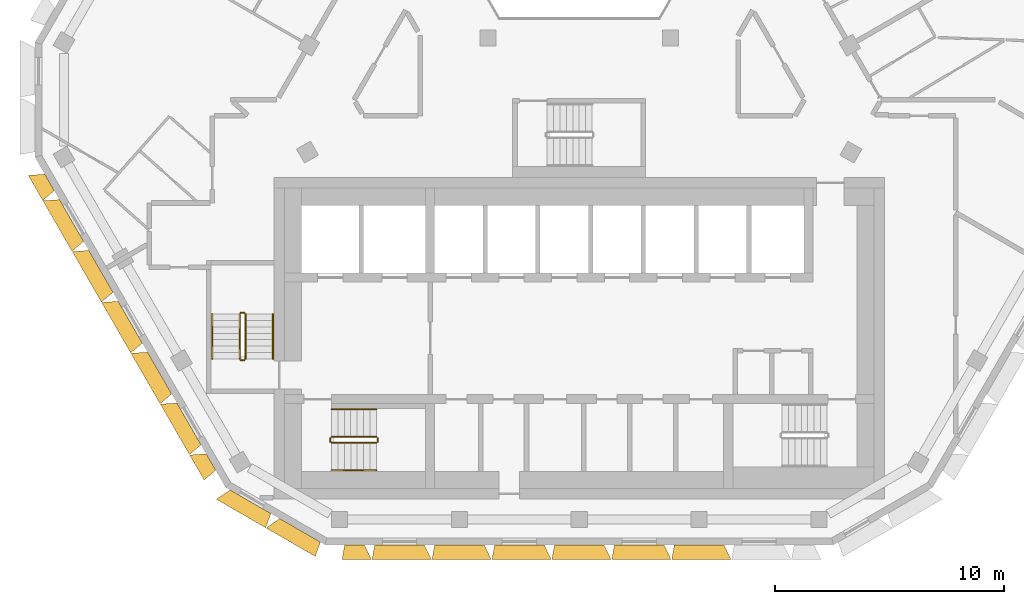
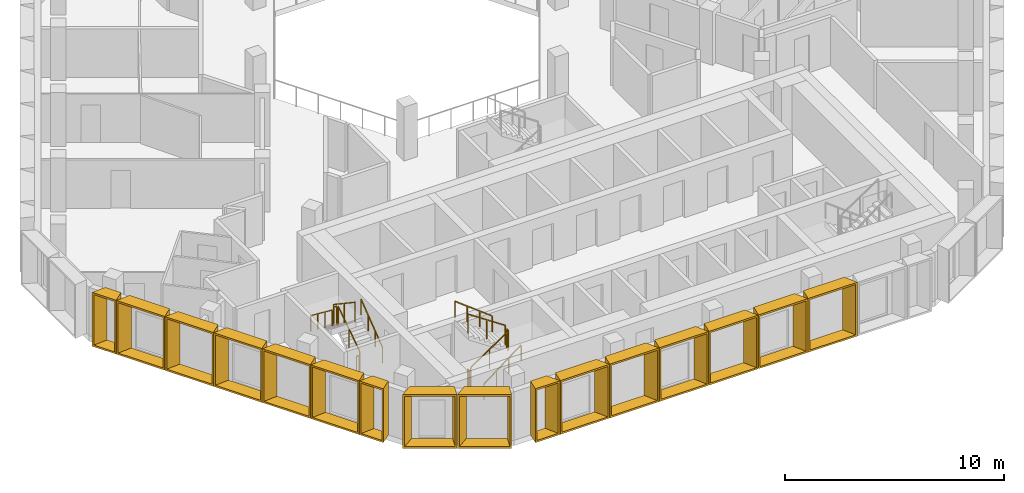
# One storey, part 10 of 14: 16 shading devices, 12 railings.
"""IFC4 building model written with IfcOpenShell, lengths in metres."""

from ifc_helpers import new_model, entity, si_unit, direction, frame, origin, origin_2d, place, context, subcontext, project, spatial, rectangle, extrude, source, transform, mapped, material, type_object, type_shapes, element, save


model = new_model("IFC4")

# Units and contexts
model_context = context("Model", 3, precision=1e-05, world=origin(), true_north=direction((0.0, 1.0)))
body_context = subcontext(model_context, "Body", "Model", "MODEL_VIEW")
ifc_project = project(units=[si_unit("LENGTHUNIT", "METRE"), si_unit("AREAUNIT", "SQUARE_METRE"), si_unit("VOLUMEUNIT", "CUBIC_METRE"), si_unit("PLANEANGLEUNIT", "RADIAN"), si_unit("MASSUNIT", "GRAM", prefix="KILO")], contexts=[model_context])

# Site, building, storey
site_placement = place(None, origin())
site = spatial("IfcSite", under=ifc_project, at=site_placement, CompositionType="ELEMENT")
building_placement = place(site_placement, origin())
building = spatial("IfcBuilding", under=site, at=building_placement, Name="Beryl Residences", CompositionType="ELEMENT")
storey_placement = place(building_placement, frame((0.0, 0.0, 229.800048828125)))
storey = spatial("IfcBuildingStorey", under=building, at=storey_placement, Name="L71", CompositionType="ELEMENT", Elevation=229.800048828125)

# Shading devices
ifc_material_1 = material(Name="Aluminium pale anodised", Category="aluminium")
shading_device_type_1 = type_object("IfcShadingDeviceType", Name="FR128-65B OUTER SKIN frame 650 mm deep, splay 26/10 deg, 1280 x 3000 mm cell", PredefinedType="USERDEFINED", material=ifc_material_1)
cartesian_point_1 = entity("IfcCartesianPoint", [-0.4140625, 0.0])
cartesian_point_2 = entity("IfcCartesianPoint", [-0.324951171875, 0.10009765625])
cartesian_point_3 = entity("IfcCartesianPoint", [-0.73095703125, 0.0])
cartesian_point_4 = entity("IfcCartesianPoint", [-0.64208984375, 0.10009765625])
shared_shape_1 = source(origin(), body_context, "Body", "SweptSolid", [
    entity("IfcExtrudedAreaSolidTapered", entity("IfcArbitraryProfileDefWithVoids", "AREA", None, entity("IfcPolyline", [cartesian_point_1, entity("IfcCartesianPoint", [0.4140625, 0.0]), entity("IfcCartesianPoint", [0.4140625, 3.0]), entity("IfcCartesianPoint", [-0.4140625, 3.0]), cartesian_point_1]), [entity("IfcPolyline", [cartesian_point_2, entity("IfcCartesianPoint", [0.332763671875, 0.10009765625]), entity("IfcCartesianPoint", [0.332763671875, 2.89990234375]), entity("IfcCartesianPoint", [-0.324951171875, 2.89990234375]), cartesian_point_2])]), entity("IfcAxis2Placement3D", entity("IfcCartesianPoint", [0.0, 0.0, 0.0]), entity("IfcDirection", [0.0, 1.0, 0.0]), entity("IfcDirection", [-1.0, 0.0, 0.0])), entity("IfcDirection", [0.0, 0.0, 1.0]), 0.64990234375, entity("IfcArbitraryProfileDefWithVoids", "AREA", None, entity("IfcPolyline", [cartesian_point_3, entity("IfcCartesianPoint", [0.528564453125, 0.0]), entity("IfcCartesianPoint", [0.528564453125, 3.0]), entity("IfcCartesianPoint", [-0.73095703125, 3.0]), cartesian_point_3]), [entity("IfcPolyline", [cartesian_point_4, entity("IfcCartesianPoint", [0.447265625, 0.10009765625]), entity("IfcCartesianPoint", [0.447265625, 2.89990234375]), entity("IfcCartesianPoint", [-0.64208984375, 2.89990234375]), cartesian_point_4])])),
])
type_shapes(shading_device_type_1, [shared_shape_1])
for number, where, z_axis, x_axis, name in (
    (1, (-23.091064453125, -5.2041015625, 0.0), (0.0, 0.0, 1.0), (-0.5, 0.866025403784, 0.0), "FR128-65B frame L71 SW 1"),
    (2, (-16.052978515625, -17.39501953125, 0.0), (0.0, 0.0, 1.0), (-0.5, 0.866025403784, 0.0), "FR128-65B frame L71 SW 7"),
):
    element("IfcShadingDevice", number, at=place(storey_placement, frame(where, z_axis=z_axis, x_axis=x_axis)), inside=storey, type_object=shading_device_type_1, Name=name, ObjectType="OUTER SKIN", PredefinedType="USERDEFINED", context=body_context, shape_type="MappedRepresentation", body=[
        mapped(shared_shape_1, transform((0.0, 0.0, 0.0))),
    ])
ifc_material_2 = material(Name="Aluminium pale anodised", Category="aluminium")
shading_device_type_2 = type_object("IfcShadingDeviceType", Name="FR131-65C OUTER SKIN frame 650 mm deep, splay 10/26 deg, 1310 x 3000 mm cell", PredefinedType="USERDEFINED", material=ifc_material_2)
cartesian_point_5 = entity("IfcCartesianPoint", [-0.428955078125, 0.0])
cartesian_point_6 = entity("IfcCartesianPoint", [-0.34765625, 0.10009765625])
cartesian_point_7 = entity("IfcCartesianPoint", [-0.543701171875, 0.0])
cartesian_point_8 = entity("IfcCartesianPoint", [-0.46240234375, 0.10009765625])
shared_shape_2 = source(origin(), body_context, "Body", "SweptSolid", [
    entity("IfcExtrudedAreaSolidTapered", entity("IfcArbitraryProfileDefWithVoids", "AREA", None, entity("IfcPolyline", [cartesian_point_5, entity("IfcCartesianPoint", [0.428955078125, 0.0]), entity("IfcCartesianPoint", [0.428955078125, 3.0]), entity("IfcCartesianPoint", [-0.428955078125, 3.0]), cartesian_point_5]), [entity("IfcPolyline", [cartesian_point_6, entity("IfcCartesianPoint", [0.340087890625, 0.10009765625]), entity("IfcCartesianPoint", [0.340087890625, 2.89990234375]), entity("IfcCartesianPoint", [-0.34765625, 2.89990234375]), cartesian_point_6])]), entity("IfcAxis2Placement3D", entity("IfcCartesianPoint", [0.0, 0.0, 0.0]), entity("IfcDirection", [0.0, 1.0, 0.0]), entity("IfcDirection", [-1.0, 0.0, 0.0])), entity("IfcDirection", [0.0, 0.0, 1.0]), 0.64990234375, entity("IfcArbitraryProfileDefWithVoids", "AREA", None, entity("IfcPolyline", [cartesian_point_7, entity("IfcCartesianPoint", [0.74609375, 0.0]), entity("IfcCartesianPoint", [0.74609375, 3.0]), entity("IfcCartesianPoint", [-0.543701171875, 3.0]), cartesian_point_7]), [entity("IfcPolyline", [cartesian_point_8, entity("IfcCartesianPoint", [0.656982421875, 0.10009765625]), entity("IfcCartesianPoint", [0.656982421875, 2.89990234375]), entity("IfcCartesianPoint", [-0.46240234375, 2.89990234375]), cartesian_point_8])])),
])
type_shapes(shading_device_type_2, [shared_shape_2])
shading_device_placement = place(storey_placement, frame((-9.797119140625, -21.0, 0.0), z_axis=(0.0, 0.0, 1.0), x_axis=(-1.0, 0.0, 0.0)))
element("IfcShadingDevice", 3, at=shading_device_placement, inside=storey, type_object=shading_device_type_2, Name="FR131-65C frame L71 S 1", ObjectType="OUTER SKIN", PredefinedType="USERDEFINED", context=body_context, shape_type="MappedRepresentation", body=[
    mapped(shared_shape_2, transform((0.0, 0.0, 0.0))),
])
ifc_material_3 = material(Name="Aluminium pale anodised", Category="aluminium")
shading_device_type_3 = type_object("IfcShadingDeviceType", Name="FR250-65B OUTER SKIN frame 650 mm deep, splay 26/10 deg, 2500 x 3000 mm cell", PredefinedType="USERDEFINED", material=ifc_material_3)
cartesian_point_9 = entity("IfcCartesianPoint", [-1.02392578125, 0.0])
cartesian_point_10 = entity("IfcCartesianPoint", [-0.93505859375, 0.10009765625])
cartesian_point_11 = entity("IfcCartesianPoint", [-1.341064453125, 0.0])
cartesian_point_12 = entity("IfcCartesianPoint", [-1.251953125, 0.10009765625])
shared_shape_3 = source(origin(), body_context, "Body", "SweptSolid", [
    entity("IfcExtrudedAreaSolidTapered", entity("IfcArbitraryProfileDefWithVoids", "AREA", None, entity("IfcPolyline", [cartesian_point_9, entity("IfcCartesianPoint", [1.02392578125, 0.0]), entity("IfcCartesianPoint", [1.02392578125, 3.0]), entity("IfcCartesianPoint", [-1.02392578125, 3.0]), cartesian_point_9]), [entity("IfcPolyline", [cartesian_point_10, entity("IfcCartesianPoint", [0.94287109375, 0.10009765625]), entity("IfcCartesianPoint", [0.94287109375, 2.89990234375]), entity("IfcCartesianPoint", [-0.93505859375, 2.89990234375]), cartesian_point_10])]), entity("IfcAxis2Placement3D", entity("IfcCartesianPoint", [0.0, 0.0, 0.0]), entity("IfcDirection", [0.0, 1.0, 0.0]), entity("IfcDirection", [-1.0, 0.0, 0.0])), entity("IfcDirection", [0.0, 0.0, 1.0]), 0.64990234375, entity("IfcArbitraryProfileDefWithVoids", "AREA", None, entity("IfcPolyline", [cartesian_point_11, entity("IfcCartesianPoint", [1.138671875, 0.0]), entity("IfcCartesianPoint", [1.138671875, 3.0]), entity("IfcCartesianPoint", [-1.341064453125, 3.0]), cartesian_point_11]), [entity("IfcPolyline", [cartesian_point_12, entity("IfcCartesianPoint", [1.057373046875, 0.10009765625]), entity("IfcCartesianPoint", [1.057373046875, 2.89990234375]), entity("IfcCartesianPoint", [-1.251953125, 2.89990234375]), cartesian_point_12])])),
])
type_shapes(shading_device_type_3, [shared_shape_3])
for number, where, z_axis, x_axis, name in (
    (4, (-14.33203125, -19.125, 0.0), (0.0, 0.0, 1.0), (-0.866025403784, 0.5, 0.0), "FR250-65B frame L71 SW-S 1"),
    (5, (-12.16796875, -20.375, 0.0), (0.0, 0.0, 1.0), (-0.866025403784, 0.5, 0.0), "FR250-65B frame L71 SW-S 2"),
):
    element("IfcShadingDevice", number, at=place(storey_placement, frame(where, z_axis=z_axis, x_axis=x_axis)), inside=storey, type_object=shading_device_type_3, Name=name, ObjectType="OUTER SKIN", PredefinedType="USERDEFINED", context=body_context, shape_type="MappedRepresentation", body=[
        mapped(shared_shape_3, transform((0.0, 0.0, 0.0))),
    ])
ifc_material_4 = material(Name="Aluminium pale anodised", Category="aluminium")
shading_device_type_4 = type_object("IfcShadingDeviceType", Name="FR256-65B OUTER SKIN frame 650 mm deep, splay 26/10 deg, 2560 x 3000 mm cell", PredefinedType="USERDEFINED", material=ifc_material_4)
cartesian_point_13 = entity("IfcCartesianPoint", [-1.053955078125, 0.0])
cartesian_point_14 = entity("IfcCartesianPoint", [-0.965087890625, 0.10009765625])
cartesian_point_15 = entity("IfcCartesianPoint", [-1.37109375, 0.0])
cartesian_point_16 = entity("IfcCartesianPoint", [-1.281982421875, 0.10009765625])
shared_shape_4 = source(origin(), body_context, "Body", "SweptSolid", [
    entity("IfcExtrudedAreaSolidTapered", entity("IfcArbitraryProfileDefWithVoids", "AREA", None, entity("IfcPolyline", [cartesian_point_13, entity("IfcCartesianPoint", [1.053955078125, 0.0]), entity("IfcCartesianPoint", [1.053955078125, 3.0]), entity("IfcCartesianPoint", [-1.053955078125, 3.0]), cartesian_point_13]), [entity("IfcPolyline", [cartesian_point_14, entity("IfcCartesianPoint", [0.97265625, 0.10009765625]), entity("IfcCartesianPoint", [0.97265625, 2.89990234375]), entity("IfcCartesianPoint", [-0.965087890625, 2.89990234375]), cartesian_point_14])]), entity("IfcAxis2Placement3D", entity("IfcCartesianPoint", [0.0, 0.0, 0.0]), entity("IfcDirection", [0.0, 1.0, 0.0]), entity("IfcDirection", [-1.0, 0.0, 0.0])), entity("IfcDirection", [0.0, 0.0, 1.0]), 0.64990234375, entity("IfcArbitraryProfileDefWithVoids", "AREA", None, entity("IfcPolyline", [cartesian_point_15, entity("IfcCartesianPoint", [1.168701171875, 0.0]), entity("IfcCartesianPoint", [1.168701171875, 3.0]), entity("IfcCartesianPoint", [-1.37109375, 3.0]), cartesian_point_15]), [entity("IfcPolyline", [cartesian_point_16, entity("IfcCartesianPoint", [1.08740234375, 0.10009765625]), entity("IfcCartesianPoint", [1.08740234375, 2.89990234375]), entity("IfcCartesianPoint", [-1.281982421875, 2.89990234375]), cartesian_point_16])])),
])
type_shapes(shading_device_type_4, [shared_shape_4])
for number, where, z_axis, x_axis, name in (
    (6, (-22.132080078125, -6.865966796875, 0.0), (0.0, 0.0, 1.0), (-0.5, 0.866025403784, 0.0), "FR256-65B frame L71 SW 2"),
    (7, (-20.85205078125, -9.0830078125, 0.0), (0.0, 0.0, 1.0), (-0.5, 0.866025403784, 0.0), "FR256-65B frame L71 SW 3"),
    (8, (-19.572021484375, -11.300048828125, 0.0), (0.0, 0.0, 1.0), (-0.5, 0.866025403784, 0.0), "FR256-65B frame L71 SW 4"),
    (9, (-18.29296875, -13.51611328125, 0.0), (0.0, 0.0, 1.0), (-0.5, 0.866025403784, 0.0), "FR256-65B frame L71 SW 5"),
    (10, (-17.012939453125, -15.73291015625, 0.0), (0.0, 0.0, 1.0), (-0.5, 0.866025403784, 0.0), "FR256-65B frame L71 SW 6"),
):
    element("IfcShadingDevice", number, at=place(storey_placement, frame(where, z_axis=z_axis, x_axis=x_axis)), inside=storey, type_object=shading_device_type_4, Name=name, ObjectType="OUTER SKIN", PredefinedType="USERDEFINED", context=body_context, shape_type="MappedRepresentation", body=[
        mapped(shared_shape_4, transform((0.0, 0.0, 0.0))),
    ])
ifc_material_5 = material(Name="Aluminium pale anodised", Category="aluminium")
shading_device_type_5 = type_object("IfcShadingDeviceType", Name="FR261-65C OUTER SKIN frame 650 mm deep, splay 10/26 deg, 2610 x 3000 mm cell", PredefinedType="USERDEFINED", material=ifc_material_5)
cartesian_point_17 = entity("IfcCartesianPoint", [-1.0791015625, 0.0])
cartesian_point_18 = entity("IfcCartesianPoint", [-0.997802734375, 0.10009765625])
cartesian_point_19 = entity("IfcCartesianPoint", [-1.193603515625, 0.0])
cartesian_point_20 = entity("IfcCartesianPoint", [-1.1123046875, 0.10009765625])
shared_shape_5 = source(origin(), body_context, "Body", "SweptSolid", [
    entity("IfcExtrudedAreaSolidTapered", entity("IfcArbitraryProfileDefWithVoids", "AREA", None, entity("IfcPolyline", [cartesian_point_17, entity("IfcCartesianPoint", [1.0791015625, 0.0]), entity("IfcCartesianPoint", [1.0791015625, 3.0]), entity("IfcCartesianPoint", [-1.0791015625, 3.0]), cartesian_point_17]), [entity("IfcPolyline", [cartesian_point_18, entity("IfcCartesianPoint", [0.989990234375, 0.10009765625]), entity("IfcCartesianPoint", [0.989990234375, 2.89990234375]), entity("IfcCartesianPoint", [-0.997802734375, 2.89990234375]), cartesian_point_18])]), entity("IfcAxis2Placement3D", entity("IfcCartesianPoint", [0.0, 0.0, 0.0]), entity("IfcDirection", [0.0, 1.0, 0.0]), entity("IfcDirection", [-1.0, 0.0, 0.0])), entity("IfcDirection", [0.0, 0.0, 1.0]), 0.64990234375, entity("IfcArbitraryProfileDefWithVoids", "AREA", None, entity("IfcPolyline", [cartesian_point_19, entity("IfcCartesianPoint", [1.39599609375, 0.0]), entity("IfcCartesianPoint", [1.39599609375, 3.0]), entity("IfcCartesianPoint", [-1.193603515625, 3.0]), cartesian_point_19]), [entity("IfcPolyline", [cartesian_point_20, entity("IfcCartesianPoint", [1.30712890625, 0.10009765625]), entity("IfcCartesianPoint", [1.30712890625, 2.89990234375]), entity("IfcCartesianPoint", [-1.1123046875, 2.89990234375]), cartesian_point_20])])),
])
type_shapes(shading_device_type_5, [shared_shape_5])
for number, where, z_axis, x_axis, name in (
    (11, (-7.8369140625, -21.0, 0.0), (0.0, 0.0, 1.0), (-1.0, 0.0, 0.0), "FR261-65C frame L71 S 2"),
    (12, (-5.22509765625, -21.0, 0.0), (0.0, 0.0, 1.0), (-1.0, 0.0, 0.0), "FR261-65C frame L71 S 3"),
    (13, (-2.612060546875, -21.0, 0.0), (0.0, 0.0, 1.0), (-1.0, 0.0, 0.0), "FR261-65C frame L71 S 4"),
    (14, (0.0, -21.0, 0.0), (0.0, 0.0, 1.0), (-1.0, 0.0, 0.0), "FR261-65C frame L71 S 5"),
    (15, (2.612060546875, -21.0, 0.0), (0.0, 0.0, 1.0), (-1.0, 0.0, 0.0), "FR261-65C frame L71 S 6"),
    (16, (5.22509765625, -21.0, 0.0), (0.0, 0.0, 1.0), (-1.0, 0.0, 0.0), "FR261-65C frame L71 S 7"),
):
    element("IfcShadingDevice", number, at=place(storey_placement, frame(where, z_axis=z_axis, x_axis=x_axis)), inside=storey, type_object=shading_device_type_5, Name=name, ObjectType="OUTER SKIN", PredefinedType="USERDEFINED", context=body_context, shape_type="MappedRepresentation", body=[
        mapped(shared_shape_5, transform((0.0, 0.0, 0.0))),
    ])

# Railings
ifc_material_6 = material(Name="Stainless steel balustrade with glass infill", Category="steel")
railing_type_1 = type_object("IfcRailingType", Name="SG1 stair guard 1100 mm", PredefinedType="GUARDRAIL", material=ifc_material_6)
railing_1_placement = place(storey_placement, frame((-10.800048828125, -16.550048828125, 0.1875)))
element("IfcRailing", 17, at=railing_1_placement, inside=storey, type_object=railing_type_1, Name="L71 ST-1 stair guard 1", PredefinedType="GUARDRAIL", context=body_context, shape_type="SweptSolid", body=[
    extrude(rectangle(XDim=0.048095703125, YDim=0.048095703125, at=origin_2d()), frame((0.0, 0.0, 1.076171875), z_axis=(0.830902050051, 0.0, 0.556418712142), x_axis=(0.0, 1.0, 0.0)), (0.0, 0.0, 1.0), 2.35888671875),
    extrude(rectangle(XDim=0.0419921875, YDim=0.0419921875, at=origin_2d()), origin(), (0.0, 0.0, 1.0), 1.052001953125),
    extrude(rectangle(XDim=0.0419921875, YDim=0.0419921875, at=origin_2d()), frame((0.97998046875, 0.0, 0.65625)), (0.0, 0.0, 1.0), 1.052001953125),
    extrude(rectangle(XDim=0.0419921875, YDim=0.0419921875, at=origin_2d()), frame((1.9599609375, 0.0, 1.3125)), (0.0, 0.0, 1.0), 1.052001953125),
])
railing_2_placement = place(storey_placement, frame((-8.7900390625, -16.5, 1.5)))
element("IfcRailing", 18, at=railing_2_placement, inside=storey, type_object=railing_type_1, Name="L71 ST-1 stair guard 2", PredefinedType="GUARDRAIL", context=body_context, shape_type="SweptSolid", body=[
    extrude(rectangle(XDim=0.048095703125, YDim=0.048095703125, at=origin_2d()), frame((0.0, 0.0, 1.076171875), z_axis=(0.0, 1.0, 0.0), x_axis=(-1.0, 0.0, 0.0)), (0.0, 0.0, 1.0), 0.14990234375),
    extrude(rectangle(XDim=0.0419921875, YDim=0.0419921875, at=origin_2d()), origin(), (0.0, 0.0, 1.0), 1.052001953125),
    extrude(rectangle(XDim=0.0419921875, YDim=0.0419921875, at=origin_2d()), frame((0.0, 0.14990234375, 0.0)), (0.0, 0.0, 1.0), 1.052001953125),
])
railing_3_placement = place(storey_placement, frame((-8.840087890625, -16.300048828125, 1.6875)))
element("IfcRailing", 19, at=railing_3_placement, inside=storey, type_object=railing_type_1, Name="L71 ST-1 stair guard 3", PredefinedType="GUARDRAIL", context=body_context, shape_type="SweptSolid", body=[
    extrude(rectangle(XDim=0.048095703125, YDim=0.048095703125, at=origin_2d()), frame((0.0, 0.0, 1.076171875), z_axis=(-0.830902050051, 0.0, 0.556418712142), x_axis=(0.0, -1.0, 0.0)), (0.0, 0.0, 1.0), 2.35888671875),
    extrude(rectangle(XDim=0.0419921875, YDim=0.0419921875, at=origin_2d()), origin(), (0.0, 0.0, 1.0), 1.052001953125),
    extrude(rectangle(XDim=0.0419921875, YDim=0.0419921875, at=origin_2d()), frame((-0.97998046875, 0.0, 0.65625)), (0.0, 0.0, 1.0), 1.052001953125),
    extrude(rectangle(XDim=0.0419921875, YDim=0.0419921875, at=origin_2d()), frame((-1.9599609375, 0.0, 1.3125)), (0.0, 0.0, 1.0), 1.052001953125),
])
railing_4_placement = place(storey_placement, frame((-10.85009765625, -16.5, 0.0)))
element("IfcRailing", 20, at=railing_4_placement, inside=storey, type_object=railing_type_1, Name="L71 ST-1 stair guard 4", PredefinedType="GUARDRAIL", context=body_context, shape_type="SweptSolid", body=[
    extrude(rectangle(XDim=0.048095703125, YDim=0.048095703125, at=origin_2d()), frame((0.0, 0.0, 1.076171875), z_axis=(0.0, 1.0, 0.0), x_axis=(-1.0, 0.0, 0.0)), (0.0, 0.0, 1.0), 0.14990234375),
    extrude(rectangle(XDim=0.0419921875, YDim=0.0419921875, at=origin_2d()), origin(), (0.0, 0.0, 1.0), 1.052001953125),
    extrude(rectangle(XDim=0.0419921875, YDim=0.0419921875, at=origin_2d()), frame((0.0, 0.14990234375, 0.0)), (0.0, 0.0, 1.0), 1.052001953125),
])
railing_5_placement = place(storey_placement, frame((-14.550048828125, -12.89990234375, 0.1875)))
element("IfcRailing", 21, at=railing_5_placement, inside=storey, type_object=railing_type_1, Name="L71 ST-2 stair guard 1", PredefinedType="GUARDRAIL", context=body_context, shape_type="SweptSolid", body=[
    extrude(rectangle(XDim=0.048095703125, YDim=0.048095703125, at=origin_2d()), frame((0.0, 0.0, 1.076171875), z_axis=(0.0, 0.830902050051, 0.556418712142), x_axis=(-1.0, 0.0, 0.0)), (0.0, 0.0, 1.0), 2.35888671875),
    extrude(rectangle(XDim=0.0419921875, YDim=0.0419921875, at=origin_2d()), origin(), (0.0, 0.0, 1.0), 1.052001953125),
    extrude(rectangle(XDim=0.0419921875, YDim=0.0419921875, at=origin_2d()), frame((0.0, 0.97998046875, 0.65625)), (0.0, 0.0, 1.0), 1.052001953125),
    extrude(rectangle(XDim=0.0419921875, YDim=0.0419921875, at=origin_2d()), frame((0.0, 1.9599609375, 1.3125)), (0.0, 0.0, 1.0), 1.052001953125),
])
railing_6_placement = place(storey_placement, frame((-14.60009765625, -10.889892578125, 1.5)))
element("IfcRailing", 22, at=railing_6_placement, inside=storey, type_object=railing_type_1, Name="L71 ST-2 stair guard 2", PredefinedType="GUARDRAIL", context=body_context, shape_type="SweptSolid", body=[
    extrude(rectangle(XDim=0.048095703125, YDim=0.048095703125, at=origin_2d()), frame((0.0, 0.0, 1.076171875), z_axis=(-1.0, 0.0, 0.0), x_axis=(0.0, -1.0, 0.0)), (0.0, 0.0, 1.0), 0.14990234375),
    extrude(rectangle(XDim=0.0419921875, YDim=0.0419921875, at=origin_2d()), origin(), (0.0, 0.0, 1.0), 1.052001953125),
    extrude(rectangle(XDim=0.0419921875, YDim=0.0419921875, at=origin_2d()), frame((-0.14990234375, 0.0, 0.0)), (0.0, 0.0, 1.0), 1.052001953125),
])
railing_7_placement = place(storey_placement, frame((-14.800048828125, -10.93994140625, 1.6875)))
element("IfcRailing", 23, at=railing_7_placement, inside=storey, type_object=railing_type_1, Name="L71 ST-2 stair guard 3", PredefinedType="GUARDRAIL", context=body_context, shape_type="SweptSolid", body=[
    extrude(rectangle(XDim=0.048095703125, YDim=0.048095703125, at=origin_2d()), frame((0.0, 0.0, 1.076171875), z_axis=(0.0, -0.830902050051, 0.556418712142), x_axis=(1.0, 0.0, 0.0)), (0.0, 0.0, 1.0), 2.35888671875),
    extrude(rectangle(XDim=0.0419921875, YDim=0.0419921875, at=origin_2d()), origin(), (0.0, 0.0, 1.0), 1.052001953125),
    extrude(rectangle(XDim=0.0419921875, YDim=0.0419921875, at=origin_2d()), frame((0.0, -0.97998046875, 0.65625)), (0.0, 0.0, 1.0), 1.052001953125),
    extrude(rectangle(XDim=0.0419921875, YDim=0.0419921875, at=origin_2d()), frame((0.0, -1.9599609375, 1.3125)), (0.0, 0.0, 1.0), 1.052001953125),
])
railing_8_placement = place(storey_placement, frame((-14.60009765625, -12.949951171875, 0.0)))
element("IfcRailing", 24, at=railing_8_placement, inside=storey, type_object=railing_type_1, Name="L71 ST-2 stair guard 4", PredefinedType="GUARDRAIL", context=body_context, shape_type="SweptSolid", body=[
    extrude(rectangle(XDim=0.048095703125, YDim=0.048095703125, at=origin_2d()), frame((0.0, 0.0, 1.076171875), z_axis=(-1.0, 0.0, 0.0), x_axis=(0.0, -1.0, 0.0)), (0.0, 0.0, 1.0), 0.14990234375),
    extrude(rectangle(XDim=0.0419921875, YDim=0.0419921875, at=origin_2d()), origin(), (0.0, 0.0, 1.0), 1.052001953125),
    extrude(rectangle(XDim=0.0419921875, YDim=0.0419921875, at=origin_2d()), frame((-0.14990234375, 0.0, 0.0)), (0.0, 0.0, 1.0), 1.052001953125),
])
ifc_material_7 = material(Name="Stainless steel handrail", Category="steel")
railing_type_2 = type_object("IfcRailingType", Name="SRL1 stair handrail 900 mm", PredefinedType="HANDRAIL", material=ifc_material_7)
railing_9_placement = place(storey_placement, frame((-10.800048828125, -17.75, 0.1875)))
element("IfcRailing", 25, at=railing_9_placement, inside=storey, type_object=railing_type_2, Name="L71 ST-1 stair handrail 1", PredefinedType="HANDRAIL", context=body_context, shape_type="SweptSolid", body=[
    extrude(rectangle(XDim=0.048095703125, YDim=0.048095703125, at=origin_2d()), frame((0.0, 0.0, 0.8759765625), z_axis=(0.794121922505, 0.0, 0.607758481798), x_axis=(0.0, 1.0, 0.0)), (0.0, 0.0, 1.0), 2.468017578125),
    extrude(rectangle(XDim=0.0419921875, YDim=0.0419921875, at=origin_2d()), origin(), (0.0, 0.0, 1.0), 0.851806640625),
    extrude(rectangle(XDim=0.0419921875, YDim=0.0419921875, at=origin_2d()), frame((0.6533203125, 0.0, 0.5)), (0.0, 0.0, 1.0), 0.851806640625),
    extrude(rectangle(XDim=0.0419921875, YDim=0.0419921875, at=origin_2d()), frame((1.306640625, 0.0, 1.0)), (0.0, 0.0, 1.0), 0.851806640625),
    extrude(rectangle(XDim=0.0419921875, YDim=0.0419921875, at=origin_2d()), frame((1.9599609375, 0.0, 1.5)), (0.0, 0.0, 1.0), 0.851806640625),
])
railing_10_placement = place(storey_placement, frame((-8.840087890625, -15.10009765625, 1.6875)))
element("IfcRailing", 26, at=railing_10_placement, inside=storey, type_object=railing_type_2, Name="L71 ST-1 stair handrail 2", PredefinedType="HANDRAIL", context=body_context, shape_type="SweptSolid", body=[
    extrude(rectangle(XDim=0.048095703125, YDim=0.048095703125, at=origin_2d()), frame((0.0, 0.0, 0.8759765625), z_axis=(-0.794121922505, 0.0, 0.607758481798), x_axis=(0.0, -1.0, 0.0)), (0.0, 0.0, 1.0), 2.468017578125),
    extrude(rectangle(XDim=0.0419921875, YDim=0.0419921875, at=origin_2d()), origin(), (0.0, 0.0, 1.0), 0.851806640625),
    extrude(rectangle(XDim=0.0419921875, YDim=0.0419921875, at=origin_2d()), frame((-0.6533203125, 0.0, 0.5)), (0.0, 0.0, 1.0), 0.851806640625),
    extrude(rectangle(XDim=0.0419921875, YDim=0.0419921875, at=origin_2d()), frame((-1.306640625, 0.0, 1.0)), (0.0, 0.0, 1.0), 0.851806640625),
    extrude(rectangle(XDim=0.0419921875, YDim=0.0419921875, at=origin_2d()), frame((-1.9599609375, 0.0, 1.5)), (0.0, 0.0, 1.0), 0.851806640625),
])
railing_11_placement = place(storey_placement, frame((-13.35009765625, -12.89990234375, 0.1875)))
element("IfcRailing", 27, at=railing_11_placement, inside=storey, type_object=railing_type_2, Name="L71 ST-2 stair handrail 1", PredefinedType="HANDRAIL", context=body_context, shape_type="SweptSolid", body=[
    extrude(rectangle(XDim=0.048095703125, YDim=0.048095703125, at=origin_2d()), frame((0.0, 0.0, 0.8759765625), z_axis=(0.0, 0.794121922505, 0.607758481798), x_axis=(-1.0, 0.0, 0.0)), (0.0, 0.0, 1.0), 2.468017578125),
    extrude(rectangle(XDim=0.0419921875, YDim=0.0419921875, at=origin_2d()), origin(), (0.0, 0.0, 1.0), 0.851806640625),
    extrude(rectangle(XDim=0.0419921875, YDim=0.0419921875, at=origin_2d()), frame((0.0, 0.6533203125, 0.5)), (0.0, 0.0, 1.0), 0.851806640625),
    extrude(rectangle(XDim=0.0419921875, YDim=0.0419921875, at=origin_2d()), frame((0.0, 1.306640625, 1.0)), (0.0, 0.0, 1.0), 0.851806640625),
    extrude(rectangle(XDim=0.0419921875, YDim=0.0419921875, at=origin_2d()), frame((0.0, 1.9599609375, 1.5)), (0.0, 0.0, 1.0), 0.851806640625),
])
railing_12_placement = place(storey_placement, frame((-16.0, -10.93994140625, 1.6875)))
element("IfcRailing", 28, at=railing_12_placement, inside=storey, type_object=railing_type_2, Name="L71 ST-2 stair handrail 2", PredefinedType="HANDRAIL", context=body_context, shape_type="SweptSolid", body=[
    extrude(rectangle(XDim=0.048095703125, YDim=0.048095703125, at=origin_2d()), frame((0.0, 0.0, 0.8759765625), z_axis=(0.0, -0.794121922505, 0.607758481798), x_axis=(1.0, 0.0, 0.0)), (0.0, 0.0, 1.0), 2.468017578125),
    extrude(rectangle(XDim=0.0419921875, YDim=0.0419921875, at=origin_2d()), origin(), (0.0, 0.0, 1.0), 0.851806640625),
    extrude(rectangle(XDim=0.0419921875, YDim=0.0419921875, at=origin_2d()), frame((0.0, -0.6533203125, 0.5)), (0.0, 0.0, 1.0), 0.851806640625),
    extrude(rectangle(XDim=0.0419921875, YDim=0.0419921875, at=origin_2d()), frame((0.0, -1.306640625, 1.0)), (0.0, 0.0, 1.0), 0.851806640625),
    extrude(rectangle(XDim=0.0419921875, YDim=0.0419921875, at=origin_2d()), frame((0.0, -1.9599609375, 1.5)), (0.0, 0.0, 1.0), 0.851806640625),
])

save(model, "model.ifc")
